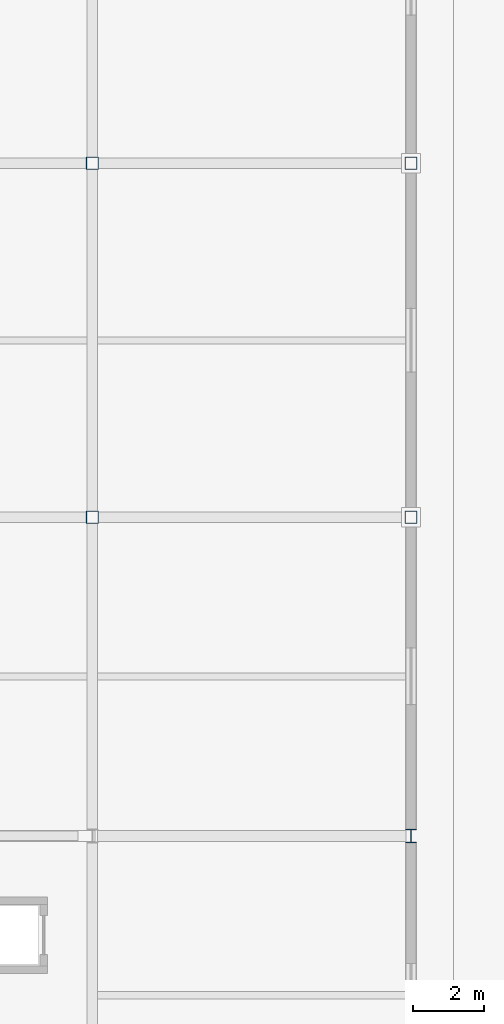
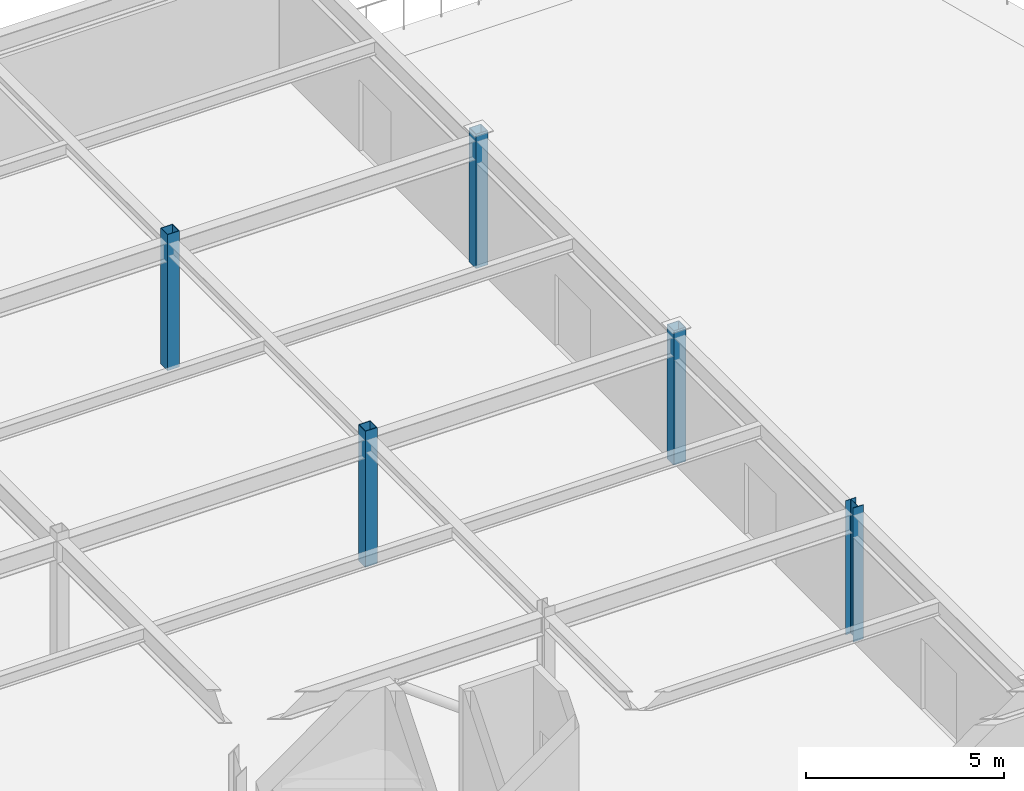
# One storey, part 9 of 53: 5 columns.
"""IFC4 building model written with IfcOpenShell, lengths in metres."""

from ifc_helpers import new_model, si_unit, direction, frame, origin, origin_2d, place, context, subcontext, project, spatial, hollow_rectangle, i_section, extrude, material, material_profile, profile_set, type_object, element, save


model = new_model("IFC4")

# Units and contexts
model_context = context("Model", 3, precision=1e-05, world=origin(), true_north=direction((0.0, 1.0)))
body_context = subcontext(model_context, "Body", "Model", "MODEL_VIEW")
ifc_project = project(units=[si_unit("LENGTHUNIT", "METRE"), si_unit("AREAUNIT", "SQUARE_METRE"), si_unit("VOLUMEUNIT", "CUBIC_METRE"), si_unit("PLANEANGLEUNIT", "RADIAN"), si_unit("MASSUNIT", "GRAM", prefix="KILO")], contexts=[model_context])

# Site, building, storey
site_placement = place(None, origin())
site = spatial("IfcSite", under=ifc_project, at=site_placement, CompositionType="ELEMENT")
building_placement = place(site_placement, origin())
building = spatial("IfcBuilding", under=site, at=building_placement, Name="Suzunagisa Mobility Hub", CompositionType="ELEMENT")
storey_placement = place(building_placement, frame((0.0, 0.0, 17.699951171875)))
storey = spatial("IfcBuildingStorey", under=building, at=storey_placement, Name="L04", CompositionType="ELEMENT", Elevation=17.699951171875)

# Columns
ifc_material = material(Name="Steel SN490B", Category="steel")
ifc_material_profile_1 = material_profile(ifc_material, hollow_rectangle(XDim=0.35009765625, YDim=0.35009765625, WallThickness=0.01611328125, at=origin_2d()), Name="BCR-350x350x16")
ifc_profile_set_1 = profile_set([ifc_material_profile_1], Name="Steel SN490B")
column_type_1 = type_object("IfcColumnType", Name="Steel Column CL-04 BCR-350x350x16", PredefinedType="COLUMN", material=ifc_profile_set_1)
for number, where, z_axis, x_axis, name in (
    (1, (99.0, 98.0, 0.0), (0.0, 0.0, 1.0), (1.0, 0.0, 0.0), "L04 Column 197"),
    (2, (99.0, 108.0, 0.0), (0.0, 0.0, 1.0), (1.0, 0.0, 0.0), "L04 Column 198"),
):
    element("IfcColumn", number, at=place(storey_placement, frame(where, z_axis=z_axis, x_axis=x_axis)), inside=storey, type_object=column_type_1, Name=name, PredefinedType="COLUMN", context=body_context, shape_type="SweptSolid", body=[
        extrude(hollow_rectangle(XDim=0.35009765625, YDim=0.35009765625, WallThickness=0.01611328125, at=origin_2d()), origin(), (0.0, 0.0, 1.0), 4.199951171875),
    ])
for number, where, z_axis, x_axis, name in (
    (3, (108.0, 98.0, 0.0), (0.0, 0.0, 1.0), (1.0, 0.0, 0.0), "L04 Column 206"),
    (4, (108.0, 108.0, 0.0), (0.0, 0.0, 1.0), (1.0, 0.0, 0.0), "L04 Column 207"),
):
    element("IfcColumn", number, at=place(storey_placement, frame(where, z_axis=z_axis, x_axis=x_axis)), inside=storey, type_object=column_type_1, Name=name, PredefinedType="COLUMN", context=body_context, shape_type="SweptSolid", body=[
        extrude(hollow_rectangle(XDim=0.35009765625, YDim=0.35009765625, WallThickness=0.01611328125, at=origin_2d()), origin(), (0.0, 0.0, 1.0), 4.14013671875),
    ])
ifc_material_profile_2 = material_profile(ifc_material, i_section(OverallWidth=0.300048828125, OverallDepth=0.389892578125, WebThickness=0.010009765625, FlangeThickness=0.01611328125, FilletRadius=0.012939453125, at=origin_2d()), Name="H-390x300x10x16")
ifc_profile_set_2 = profile_set([ifc_material_profile_2], Name="Steel SN490B")
column_type_2 = type_object("IfcColumnType", Name="Steel Column CL-07 H-390x300x10x16", PredefinedType="COLUMN", material=ifc_profile_set_2)
column_placement = place(storey_placement, frame((108.0, 89.0, 0.0), z_axis=(0.0, 0.0, 1.0), x_axis=(1.0, 0.0, 0.0)))
element("IfcColumn", 5, at=column_placement, inside=storey, type_object=column_type_2, Name="L04 Column 205", PredefinedType="COLUMN", context=body_context, shape_type="SweptSolid", body=[
    extrude(i_section(OverallWidth=0.300048828125, OverallDepth=0.389892578125, WebThickness=0.010009765625, FlangeThickness=0.01611328125, FilletRadius=0.012939453125, at=origin_2d()), origin(), (0.0, 0.0, 1.0), 4.14013671875),
])

save(model, "model.ifc")
